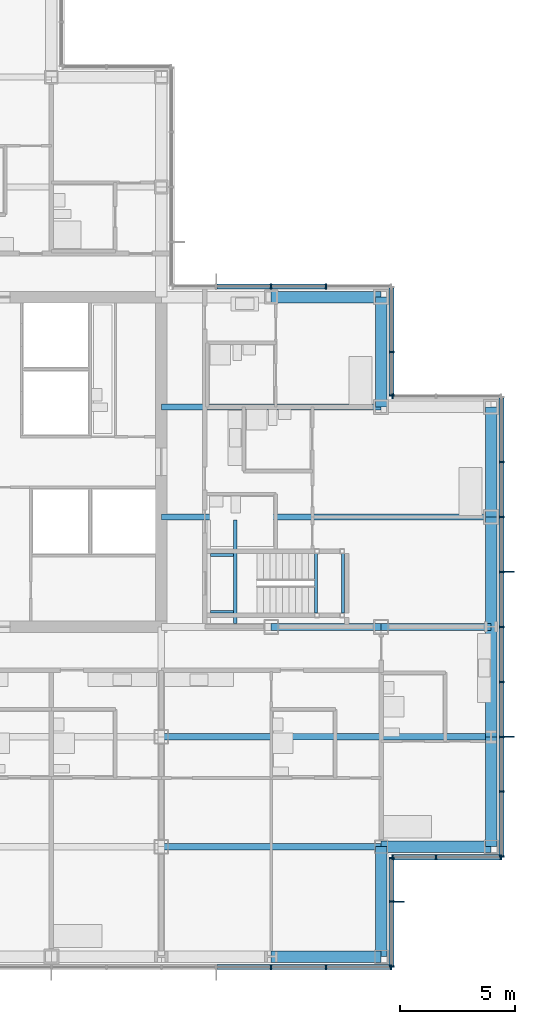
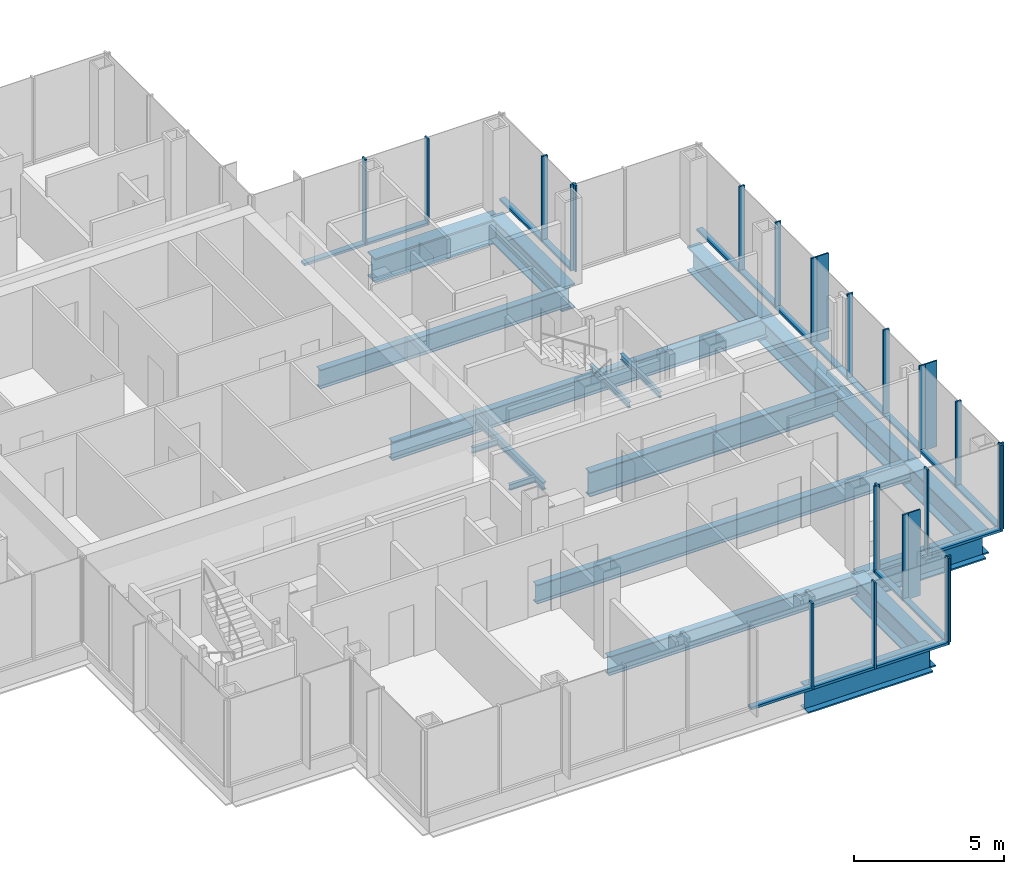
# One storey, part 8 of 19: 44 members, 20 beams, 7 elements without a shape of their own.
"""IFC4 building model written with IfcOpenShell, lengths in metres."""

from ifc_helpers import new_model, si_unit, direction, frame, origin, origin_2d, place, context, subcontext, project, spatial, rectangle, i_section, extrude, material, material_profile, profile_set, type_object, element, aggregate, save


model = new_model("IFC4")

# Units and contexts
model_context = context("Model", 3, precision=1e-05, world=origin(), true_north=direction((0.0, 1.0)))
body_context = subcontext(model_context, "Body", "Model", "MODEL_VIEW")
ifc_project = project(units=[si_unit("LENGTHUNIT", "METRE"), si_unit("AREAUNIT", "SQUARE_METRE"), si_unit("VOLUMEUNIT", "CUBIC_METRE"), si_unit("PLANEANGLEUNIT", "RADIAN"), si_unit("MASSUNIT", "GRAM", prefix="KILO")], contexts=[model_context])

# Site, building, storey
site_placement = place(None, origin())
site = spatial("IfcSite", under=ifc_project, at=site_placement, CompositionType="ELEMENT")
building_placement = place(site_placement, origin())
building = spatial("IfcBuilding", under=site, at=building_placement, Name="Kvirike Care Tower", CompositionType="ELEMENT")
storey_placement = place(building_placement, frame((0.0, 0.0, 98.0)))
storey = spatial("IfcBuildingStorey", under=building, at=storey_placement, Name="L26", CompositionType="ELEMENT", Elevation=98.0)

# Curtain wall, members
ifc_material_1 = material(Name="Anodised aluminium stick system", Category="aluminium")
curtain_wall_type = type_object("IfcCurtainWallType", Name="CW-B STICK CURTAIN WALL", PredefinedType="NOTDEFINED", material=ifc_material_1)
curtain_wall_1_placement = place(storey_placement, origin())
curtain_wall_1 = element("IfcCurtainWall", 1, at=curtain_wall_1_placement, inside=storey, type_object=curtain_wall_type, Name="Curtain wall L26 face 1", PredefinedType="NOTDEFINED")
ifc_material_2 = material(Name="Bronze anodised aluminium fin", Category="aluminium")
ifc_material_profile_1 = material_profile(ifc_material_2, rectangle(XDim=0.050048828125, YDim=0.449951171875, at=origin_2d()), Name="BRONZE FIN 450")
ifc_profile_set_1 = profile_set([ifc_material_profile_1], Name="Bronze anodised aluminium fin")
member_type_1 = type_object("IfcMemberType", Name="BRONZE FIN 450", PredefinedType="USERDEFINED", material=ifc_profile_set_1)
member_1_placement = place(storey_placement, frame((43.9951171875, 24.0, 0.0), z_axis=(0.0, 0.0, 1.0), x_axis=(0.0, 1.0, 0.0)))
member_1 = element("IfcMember", 2, at=member_1_placement, type_object=member_type_1, Name="Bronze fin L26 face 1.3", ObjectType="FIN", PredefinedType="USERDEFINED", context=body_context, shape_type="SweptSolid", body=[
    extrude(rectangle(XDim=0.050048828125, YDim=0.449951171875, at=origin_2d()), origin(), (0.0, 0.0, 1.0), 3.5),
])
member_2_placement = place(storey_placement, frame((43.9951171875, 31.199951171875, 0.0), z_axis=(0.0, 0.0, 1.0), x_axis=(0.0, 1.0, 0.0)))
member_2 = element("IfcMember", 3, at=member_2_placement, type_object=member_type_1, Name="Bronze fin L26 face 1.6", ObjectType="FIN", PredefinedType="USERDEFINED", context=body_context, shape_type="SweptSolid", body=[
    extrude(rectangle(XDim=0.050048828125, YDim=0.449951171875, at=origin_2d()), origin(), (0.0, 0.0, 1.0), 3.5),
])

# Curtain wall, member
curtain_wall_2_placement = place(storey_placement, origin())
curtain_wall_2 = element("IfcCurtainWall", 4, at=curtain_wall_2_placement, inside=storey, type_object=curtain_wall_type, Name="Curtain wall L26 face 19", PredefinedType="NOTDEFINED")
member_3_placement = place(storey_placement, frame((39.195068359375, 16.800048828125, 0.0), z_axis=(0.0, 0.0, 1.0), x_axis=(0.0, 1.0, 0.0)))
member_3 = element("IfcMember", 5, at=member_3_placement, type_object=member_type_1, Name="Bronze fin L26 face 19.2", ObjectType="FIN", PredefinedType="USERDEFINED", context=body_context, shape_type="SweptSolid", body=[
    extrude(rectangle(XDim=0.050048828125, YDim=0.449951171875, at=origin_2d()), origin(), (0.0, 0.0, 1.0), 3.5),
])

# Member
ifc_material_3 = material(Name="Bronze anodised aluminium mullion", Category="aluminium")
ifc_material_profile_2 = material_profile(ifc_material_3, rectangle(XDim=0.06494140625, YDim=0.219970703125, at=origin_2d()), Name="CW-B MULLION 65x220")
ifc_profile_set_2 = profile_set([ifc_material_profile_2], Name="Bronze anodised aluminium mullion")
member_type_2 = type_object("IfcMemberType", Name="CW-B MULLION 65x220", PredefinedType="MULLION", material=ifc_profile_set_2)
member_4_placement = place(storey_placement, frame((43.659912109375, 18.7724609375, 0.0), z_axis=(0.0, 0.0, 1.0), x_axis=(0.0, 1.0, 0.0)))
member_4 = element("IfcMember", 6, at=member_4_placement, type_object=member_type_2, Name="CW-B mullion L26 face 1.1", PredefinedType="MULLION", context=body_context, shape_type="SweptSolid", body=[
    extrude(rectangle(XDim=0.06494140625, YDim=0.219970703125, at=origin_2d()), origin(), (0.0, 0.0, 1.0), 3.5),
])

member_5_placement = place(storey_placement, frame((43.659912109375, 21.60009765625, 0.0), z_axis=(0.0, 0.0, 1.0), x_axis=(0.0, 1.0, 0.0)))
member_5 = element("IfcMember", 7, at=member_5_placement, type_object=member_type_2, Name="CW-B mullion L26 face 1.2", PredefinedType="MULLION", context=body_context, shape_type="SweptSolid", body=[
    extrude(rectangle(XDim=0.06494140625, YDim=0.219970703125, at=origin_2d()), origin(), (0.0, 0.0, 1.0), 3.5),
])

member_6_placement = place(storey_placement, frame((43.659912109375, 24.0, 0.0), z_axis=(0.0, 0.0, 1.0), x_axis=(0.0, 1.0, 0.0)))
member_6 = element("IfcMember", 8, at=member_6_placement, type_object=member_type_2, Name="CW-B mullion L26 face 1.3", PredefinedType="MULLION", context=body_context, shape_type="SweptSolid", body=[
    extrude(rectangle(XDim=0.06494140625, YDim=0.219970703125, at=origin_2d()), origin(), (0.0, 0.0, 1.0), 3.5),
])

member_7_placement = place(storey_placement, frame((43.659912109375, 26.39990234375, 0.0), z_axis=(0.0, 0.0, 1.0), x_axis=(0.0, 1.0, 0.0)))
member_7 = element("IfcMember", 9, at=member_7_placement, type_object=member_type_2, Name="CW-B mullion L26 face 1.4", PredefinedType="MULLION", context=body_context, shape_type="SweptSolid", body=[
    extrude(rectangle(XDim=0.06494140625, YDim=0.219970703125, at=origin_2d()), origin(), (0.0, 0.0, 1.0), 3.5),
])

member_8_placement = place(storey_placement, frame((43.659912109375, 28.800048828125, 0.0), z_axis=(0.0, 0.0, 1.0), x_axis=(0.0, 1.0, 0.0)))
member_8 = element("IfcMember", 10, at=member_8_placement, type_object=member_type_2, Name="CW-B mullion L26 face 1.5", PredefinedType="MULLION", context=body_context, shape_type="SweptSolid", body=[
    extrude(rectangle(XDim=0.06494140625, YDim=0.219970703125, at=origin_2d()), origin(), (0.0, 0.0, 1.0), 3.5),
])

member_9_placement = place(storey_placement, frame((43.659912109375, 31.199951171875, 0.0), z_axis=(0.0, 0.0, 1.0), x_axis=(0.0, 1.0, 0.0)))
member_9 = element("IfcMember", 11, at=member_9_placement, type_object=member_type_2, Name="CW-B mullion L26 face 1.6", PredefinedType="MULLION", context=body_context, shape_type="SweptSolid", body=[
    extrude(rectangle(XDim=0.06494140625, YDim=0.219970703125, at=origin_2d()), origin(), (0.0, 0.0, 1.0), 3.5),
])

member_10_placement = place(storey_placement, frame((43.659912109375, 33.60009765625, 0.0), z_axis=(0.0, 0.0, 1.0), x_axis=(0.0, 1.0, 0.0)))
member_10 = element("IfcMember", 12, at=member_10_placement, type_object=member_type_2, Name="CW-B mullion L26 face 1.7", PredefinedType="MULLION", context=body_context, shape_type="SweptSolid", body=[
    extrude(rectangle(XDim=0.06494140625, YDim=0.219970703125, at=origin_2d()), origin(), (0.0, 0.0, 1.0), 3.5),
])

member_11_placement = place(storey_placement, frame((43.659912109375, 36.0, 0.0), z_axis=(0.0, 0.0, 1.0), x_axis=(0.0, 1.0, 0.0)))
member_11 = element("IfcMember", 13, at=member_11_placement, type_object=member_type_2, Name="CW-B mullion L26 face 1.8", PredefinedType="MULLION", context=body_context, shape_type="SweptSolid", body=[
    extrude(rectangle(XDim=0.06494140625, YDim=0.219970703125, at=origin_2d()), origin(), (0.0, 0.0, 1.0), 3.5),
])

# Curtain wall, member
curtain_wall_3_placement = place(storey_placement, origin())
curtain_wall_3 = element("IfcCurtainWall", 14, at=curtain_wall_3_placement, inside=storey, type_object=curtain_wall_type, Name="Curtain wall L26 face 2", PredefinedType="NOTDEFINED")
member_12_placement = place(storey_placement, frame((38.892578125, 38.860107421875, 0.0), z_axis=(0.0, 0.0, 1.0), x_axis=(-1.0, 0.0, 0.0)))
member_12 = element("IfcMember", 15, at=member_12_placement, type_object=member_type_2, Name="CW-B mullion L26 face 2.3", PredefinedType="MULLION", context=body_context, shape_type="SweptSolid", body=[
    extrude(rectangle(XDim=0.06494140625, YDim=0.219970703125, at=origin_2d()), origin(), (0.0, 0.0, 1.0), 3.5),
])
aggregate(curtain_wall_3, [member_12])

# Curtain wall, members
curtain_wall_4_placement = place(storey_placement, origin())
curtain_wall_4 = element("IfcCurtainWall", 16, at=curtain_wall_4_placement, inside=storey, type_object=curtain_wall_type, Name="Curtain wall L26 face 3", PredefinedType="NOTDEFINED")
member_13_placement = place(storey_placement, frame((38.860107421875, 38.892578125, 0.0), z_axis=(0.0, 0.0, 1.0), x_axis=(0.0, 1.0, 0.0)))
member_13 = element("IfcMember", 17, at=member_13_placement, type_object=member_type_2, Name="CW-B mullion L26 face 3.1", PredefinedType="MULLION", context=body_context, shape_type="SweptSolid", body=[
    extrude(rectangle(XDim=0.06494140625, YDim=0.219970703125, at=origin_2d()), origin(), (0.0, 0.0, 1.0), 3.5),
])
member_14_placement = place(storey_placement, frame((38.860107421875, 40.800048828125, 0.0), z_axis=(0.0, 0.0, 1.0), x_axis=(0.0, 1.0, 0.0)))
member_14 = element("IfcMember", 18, at=member_14_placement, type_object=member_type_2, Name="CW-B mullion L26 face 3.2", PredefinedType="MULLION", context=body_context, shape_type="SweptSolid", body=[
    extrude(rectangle(XDim=0.06494140625, YDim=0.219970703125, at=origin_2d()), origin(), (0.0, 0.0, 1.0), 3.5),
])

curtain_wall_5_placement = place(storey_placement, origin())
curtain_wall_5 = element("IfcCurtainWall", 19, at=curtain_wall_5_placement, inside=storey, type_object=curtain_wall_type, Name="Curtain wall L26 face 4", PredefinedType="NOTDEFINED")
member_15_placement = place(storey_placement, frame((36.0, 43.659912109375, 0.0), z_axis=(0.0, 0.0, 1.0), x_axis=(-1.0, 0.0, 0.0)))
member_15 = element("IfcMember", 20, at=member_15_placement, type_object=member_type_2, Name="CW-B mullion L26 face 4.2", PredefinedType="MULLION", context=body_context, shape_type="SweptSolid", body=[
    extrude(rectangle(XDim=0.06494140625, YDim=0.219970703125, at=origin_2d()), origin(), (0.0, 0.0, 1.0), 3.5),
])
member_16_placement = place(storey_placement, frame((33.60009765625, 43.659912109375, 0.0), z_axis=(0.0, 0.0, 1.0), x_axis=(-1.0, 0.0, 0.0)))
member_16 = element("IfcMember", 21, at=member_16_placement, type_object=member_type_2, Name="CW-B mullion L26 face 4.3", PredefinedType="MULLION", context=body_context, shape_type="SweptSolid", body=[
    extrude(rectangle(XDim=0.06494140625, YDim=0.219970703125, at=origin_2d()), origin(), (0.0, 0.0, 1.0), 3.5),
])

curtain_wall_6_placement = place(storey_placement, origin())
curtain_wall_6 = element("IfcCurtainWall", 22, at=curtain_wall_6_placement, inside=storey, type_object=curtain_wall_type, Name="Curtain wall L26 face 18", PredefinedType="NOTDEFINED")
member_17_placement = place(storey_placement, frame((33.60009765625, 13.93994140625, 0.0), z_axis=(0.0, 0.0, 1.0), x_axis=(1.0, 0.0, 0.0)))
member_17 = element("IfcMember", 23, at=member_17_placement, type_object=member_type_2, Name="CW-B mullion L26 face 18.7", PredefinedType="MULLION", context=body_context, shape_type="SweptSolid", body=[
    extrude(rectangle(XDim=0.06494140625, YDim=0.219970703125, at=origin_2d()), origin(), (0.0, 0.0, 1.0), 3.5),
])
member_18_placement = place(storey_placement, frame((36.0, 13.93994140625, 0.0), z_axis=(0.0, 0.0, 1.0), x_axis=(1.0, 0.0, 0.0)))
member_18 = element("IfcMember", 24, at=member_18_placement, type_object=member_type_2, Name="CW-B mullion L26 face 18.8", PredefinedType="MULLION", context=body_context, shape_type="SweptSolid", body=[
    extrude(rectangle(XDim=0.06494140625, YDim=0.219970703125, at=origin_2d()), origin(), (0.0, 0.0, 1.0), 3.5),
])
member_19_placement = place(storey_placement, frame((38.827392578125, 13.93994140625, 0.0), z_axis=(0.0, 0.0, 1.0), x_axis=(1.0, 0.0, 0.0)))
member_19 = element("IfcMember", 25, at=member_19_placement, type_object=member_type_2, Name="CW-B mullion L26 face 18.9", PredefinedType="MULLION", context=body_context, shape_type="SweptSolid", body=[
    extrude(rectangle(XDim=0.06494140625, YDim=0.219970703125, at=origin_2d()), origin(), (0.0, 0.0, 1.0), 3.5),
])

# Member
member_20_placement = place(storey_placement, frame((38.860107421875, 13.972412109375, 0.0), z_axis=(0.0, 0.0, 1.0), x_axis=(0.0, 1.0, 0.0)))
member_20 = element("IfcMember", 26, at=member_20_placement, type_object=member_type_2, Name="CW-B mullion L26 face 19.1", PredefinedType="MULLION", context=body_context, shape_type="SweptSolid", body=[
    extrude(rectangle(XDim=0.06494140625, YDim=0.219970703125, at=origin_2d()), origin(), (0.0, 0.0, 1.0), 3.5),
])

member_21_placement = place(storey_placement, frame((38.860107421875, 16.800048828125, 0.0), z_axis=(0.0, 0.0, 1.0), x_axis=(0.0, 1.0, 0.0)))
member_21 = element("IfcMember", 27, at=member_21_placement, type_object=member_type_2, Name="CW-B mullion L26 face 19.2", PredefinedType="MULLION", context=body_context, shape_type="SweptSolid", body=[
    extrude(rectangle(XDim=0.06494140625, YDim=0.219970703125, at=origin_2d()), origin(), (0.0, 0.0, 1.0), 3.5),
])

member_22_placement = place(storey_placement, frame((38.860107421875, 18.70751953125, 0.0), z_axis=(0.0, 0.0, 1.0), x_axis=(0.0, 1.0, 0.0)))
member_22 = element("IfcMember", 28, at=member_22_placement, type_object=member_type_2, Name="CW-B mullion L26 face 19.3", PredefinedType="MULLION", context=body_context, shape_type="SweptSolid", body=[
    extrude(rectangle(XDim=0.06494140625, YDim=0.219970703125, at=origin_2d()), origin(), (0.0, 0.0, 1.0), 3.5),
])

# Curtain wall, members
curtain_wall_7_placement = place(storey_placement, origin())
curtain_wall_7 = element("IfcCurtainWall", 29, at=curtain_wall_7_placement, inside=storey, type_object=curtain_wall_type, Name="Curtain wall L26 face 20", PredefinedType="NOTDEFINED")
member_23_placement = place(storey_placement, frame((38.892578125, 18.739990234375, 0.0), z_axis=(0.0, 0.0, 1.0), x_axis=(1.0, 0.0, 0.0)))
member_23 = element("IfcMember", 30, at=member_23_placement, type_object=member_type_2, Name="CW-B mullion L26 face 20.1", PredefinedType="MULLION", context=body_context, shape_type="SweptSolid", body=[
    extrude(rectangle(XDim=0.06494140625, YDim=0.219970703125, at=origin_2d()), origin(), (0.0, 0.0, 1.0), 3.5),
])
member_24_placement = place(storey_placement, frame((40.800048828125, 18.739990234375, 0.0), z_axis=(0.0, 0.0, 1.0), x_axis=(1.0, 0.0, 0.0)))
member_24 = element("IfcMember", 31, at=member_24_placement, type_object=member_type_2, Name="CW-B mullion L26 face 20.2", PredefinedType="MULLION", context=body_context, shape_type="SweptSolid", body=[
    extrude(rectangle(XDim=0.06494140625, YDim=0.219970703125, at=origin_2d()), origin(), (0.0, 0.0, 1.0), 3.5),
])
member_25_placement = place(storey_placement, frame((43.62744140625, 18.739990234375, 0.0), z_axis=(0.0, 0.0, 1.0), x_axis=(1.0, 0.0, 0.0)))
member_25 = element("IfcMember", 32, at=member_25_placement, type_object=member_type_2, Name="CW-B mullion L26 face 20.3", PredefinedType="MULLION", context=body_context, shape_type="SweptSolid", body=[
    extrude(rectangle(XDim=0.06494140625, YDim=0.219970703125, at=origin_2d()), origin(), (0.0, 0.0, 1.0), 3.5),
])

# Member
ifc_material_4 = material(Name="Bronze anodised aluminium transom", Category="aluminium")
ifc_material_profile_3 = material_profile(ifc_material_4, rectangle(XDim=0.219970703125, YDim=0.10009765625, at=origin_2d()), Name="CW-B TRANSOM 220x100")
ifc_profile_set_3 = profile_set([ifc_material_profile_3], Name="Bronze anodised aluminium transom")
member_type_3 = type_object("IfcMemberType", Name="CW-B TRANSOM 220x100", PredefinedType="USERDEFINED", material=ifc_profile_set_3)
member_26_placement = place(storey_placement, frame((43.659912109375, 18.804931640625, 0.050048828125), z_axis=(0.0, 1.0, 0.0), x_axis=(-1.0, 0.0, 0.0)))
member_26 = element("IfcMember", 33, at=member_26_placement, type_object=member_type_3, Name="CW-B sill transom L26 face 1.1", ObjectType="TRANSOM", PredefinedType="USERDEFINED", context=body_context, shape_type="SweptSolid", body=[
    extrude(rectangle(XDim=0.219970703125, YDim=0.10009765625, at=origin_2d()), origin(), (0.0, 0.0, 1.0), 2.762451171875),
])

member_27_placement = place(storey_placement, frame((43.659912109375, 21.632568359375, 0.050048828125), z_axis=(0.0, 1.0, 0.0), x_axis=(-1.0, 0.0, 0.0)))
member_27 = element("IfcMember", 34, at=member_27_placement, type_object=member_type_3, Name="CW-B sill transom L26 face 1.2", ObjectType="TRANSOM", PredefinedType="USERDEFINED", context=body_context, shape_type="SweptSolid", body=[
    extrude(rectangle(XDim=0.219970703125, YDim=0.10009765625, at=origin_2d()), origin(), (0.0, 0.0, 1.0), 2.3349609375),
])

member_28_placement = place(storey_placement, frame((43.659912109375, 24.032470703125, 0.050048828125), z_axis=(0.0, 1.0, 0.0), x_axis=(-1.0, 0.0, 0.0)))
member_28 = element("IfcMember", 35, at=member_28_placement, type_object=member_type_3, Name="CW-B sill transom L26 face 1.3", ObjectType="TRANSOM", PredefinedType="USERDEFINED", context=body_context, shape_type="SweptSolid", body=[
    extrude(rectangle(XDim=0.219970703125, YDim=0.10009765625, at=origin_2d()), origin(), (0.0, 0.0, 1.0), 2.3349609375),
])

member_29_placement = place(storey_placement, frame((43.659912109375, 26.4326171875, 0.050048828125), z_axis=(0.0, 1.0, 0.0), x_axis=(-1.0, 0.0, 0.0)))
member_29 = element("IfcMember", 36, at=member_29_placement, type_object=member_type_3, Name="CW-B sill transom L26 face 1.4", ObjectType="TRANSOM", PredefinedType="USERDEFINED", context=body_context, shape_type="SweptSolid", body=[
    extrude(rectangle(XDim=0.219970703125, YDim=0.10009765625, at=origin_2d()), origin(), (0.0, 0.0, 1.0), 2.3349609375),
])

member_30_placement = place(storey_placement, frame((43.659912109375, 28.83251953125, 0.050048828125), z_axis=(0.0, 1.0, 0.0), x_axis=(-1.0, 0.0, 0.0)))
member_30 = element("IfcMember", 37, at=member_30_placement, type_object=member_type_3, Name="CW-B sill transom L26 face 1.5", ObjectType="TRANSOM", PredefinedType="USERDEFINED", context=body_context, shape_type="SweptSolid", body=[
    extrude(rectangle(XDim=0.219970703125, YDim=0.10009765625, at=origin_2d()), origin(), (0.0, 0.0, 1.0), 2.3349609375),
])

member_31_placement = place(storey_placement, frame((43.659912109375, 31.232421875, 0.050048828125), z_axis=(0.0, 1.0, 0.0), x_axis=(-1.0, 0.0, 0.0)))
member_31 = element("IfcMember", 38, at=member_31_placement, type_object=member_type_3, Name="CW-B sill transom L26 face 1.6", ObjectType="TRANSOM", PredefinedType="USERDEFINED", context=body_context, shape_type="SweptSolid", body=[
    extrude(rectangle(XDim=0.219970703125, YDim=0.10009765625, at=origin_2d()), origin(), (0.0, 0.0, 1.0), 2.3349609375),
])

member_32_placement = place(storey_placement, frame((43.659912109375, 33.632568359375, 0.050048828125), z_axis=(0.0, 1.0, 0.0), x_axis=(-1.0, 0.0, 0.0)))
member_32 = element("IfcMember", 39, at=member_32_placement, type_object=member_type_3, Name="CW-B sill transom L26 face 1.7", ObjectType="TRANSOM", PredefinedType="USERDEFINED", context=body_context, shape_type="SweptSolid", body=[
    extrude(rectangle(XDim=0.219970703125, YDim=0.10009765625, at=origin_2d()), origin(), (0.0, 0.0, 1.0), 2.3349609375),
])

member_33_placement = place(storey_placement, frame((43.659912109375, 36.032470703125, 0.050048828125), z_axis=(0.0, 1.0, 0.0), x_axis=(-1.0, 0.0, 0.0)))
member_33 = element("IfcMember", 40, at=member_33_placement, type_object=member_type_3, Name="CW-B sill transom L26 face 1.8", ObjectType="TRANSOM", PredefinedType="USERDEFINED", context=body_context, shape_type="SweptSolid", body=[
    extrude(rectangle(XDim=0.219970703125, YDim=0.10009765625, at=origin_2d()), origin(), (0.0, 0.0, 1.0), 2.762451171875),
])

aggregate(curtain_wall_1, [member_4, member_5, member_6, member_1, member_7, member_8, member_9, member_2, member_10, member_11, member_26, member_27, member_28, member_29, member_30, member_31, member_32, member_33])

member_34_placement = place(storey_placement, frame((38.860107421875, 38.925048828125, 0.050048828125), z_axis=(0.0, 1.0, 0.0), x_axis=(-1.0, 0.0, 0.0)))
member_34 = element("IfcMember", 41, at=member_34_placement, type_object=member_type_3, Name="CW-B sill transom L26 face 3.1", ObjectType="TRANSOM", PredefinedType="USERDEFINED", context=body_context, shape_type="SweptSolid", body=[
    extrude(rectangle(XDim=0.219970703125, YDim=0.10009765625, at=origin_2d()), origin(), (0.0, 0.0, 1.0), 1.842529296875),
])

member_35_placement = place(storey_placement, frame((38.860107421875, 40.83251953125, 0.050048828125), z_axis=(0.0, 1.0, 0.0), x_axis=(-1.0, 0.0, 0.0)))
member_35 = element("IfcMember", 42, at=member_35_placement, type_object=member_type_3, Name="CW-B sill transom L26 face 3.2", ObjectType="TRANSOM", PredefinedType="USERDEFINED", context=body_context, shape_type="SweptSolid", body=[
    extrude(rectangle(XDim=0.219970703125, YDim=0.10009765625, at=origin_2d()), origin(), (0.0, 0.0, 1.0), 2.762451171875),
])

aggregate(curtain_wall_4, [member_13, member_14, member_34, member_35])

member_36_placement = place(storey_placement, frame((35.967529296875, 43.659912109375, 0.050048828125), z_axis=(-1.0, 0.0, 0.0), x_axis=(0.0, -1.0, 0.0)))
member_36 = element("IfcMember", 43, at=member_36_placement, type_object=member_type_3, Name="CW-B sill transom L26 face 4.2", ObjectType="TRANSOM", PredefinedType="USERDEFINED", context=body_context, shape_type="SweptSolid", body=[
    extrude(rectangle(XDim=0.219970703125, YDim=0.10009765625, at=origin_2d()), origin(), (0.0, 0.0, 1.0), 2.3349609375),
])

member_37_placement = place(storey_placement, frame((33.5673828125, 43.659912109375, 0.050048828125), z_axis=(-1.0, 0.0, 0.0), x_axis=(0.0, -1.0, 0.0)))
member_37 = element("IfcMember", 44, at=member_37_placement, type_object=member_type_3, Name="CW-B sill transom L26 face 4.3", ObjectType="TRANSOM", PredefinedType="USERDEFINED", context=body_context, shape_type="SweptSolid", body=[
    extrude(rectangle(XDim=0.219970703125, YDim=0.10009765625, at=origin_2d()), origin(), (0.0, 0.0, 1.0), 2.3349609375),
])

aggregate(curtain_wall_5, [member_15, member_16, member_36, member_37])

member_38_placement = place(storey_placement, frame((31.232421875, 13.93994140625, 0.050048828125), z_axis=(1.0, 0.0, 0.0), x_axis=(0.0, 1.0, 0.0)))
member_38 = element("IfcMember", 45, at=member_38_placement, type_object=member_type_3, Name="CW-B sill transom L26 face 18.6", ObjectType="TRANSOM", PredefinedType="USERDEFINED", context=body_context, shape_type="SweptSolid", body=[
    extrude(rectangle(XDim=0.219970703125, YDim=0.10009765625, at=origin_2d()), origin(), (0.0, 0.0, 1.0), 2.3349609375),
])

member_39_placement = place(storey_placement, frame((33.632568359375, 13.93994140625, 0.050048828125), z_axis=(1.0, 0.0, 0.0), x_axis=(0.0, 1.0, 0.0)))
member_39 = element("IfcMember", 46, at=member_39_placement, type_object=member_type_3, Name="CW-B sill transom L26 face 18.7", ObjectType="TRANSOM", PredefinedType="USERDEFINED", context=body_context, shape_type="SweptSolid", body=[
    extrude(rectangle(XDim=0.219970703125, YDim=0.10009765625, at=origin_2d()), origin(), (0.0, 0.0, 1.0), 2.3349609375),
])

member_40_placement = place(storey_placement, frame((36.032470703125, 13.93994140625, 0.050048828125), z_axis=(1.0, 0.0, 0.0), x_axis=(0.0, 1.0, 0.0)))
member_40 = element("IfcMember", 47, at=member_40_placement, type_object=member_type_3, Name="CW-B sill transom L26 face 18.8", ObjectType="TRANSOM", PredefinedType="USERDEFINED", context=body_context, shape_type="SweptSolid", body=[
    extrude(rectangle(XDim=0.219970703125, YDim=0.10009765625, at=origin_2d()), origin(), (0.0, 0.0, 1.0), 2.762451171875),
])

aggregate(curtain_wall_6, [member_17, member_18, member_19, member_38, member_39, member_40])

member_41_placement = place(storey_placement, frame((38.860107421875, 14.0048828125, 0.050048828125), z_axis=(0.0, 1.0, 0.0), x_axis=(-1.0, 0.0, 0.0)))
member_41 = element("IfcMember", 48, at=member_41_placement, type_object=member_type_3, Name="CW-B sill transom L26 face 19.1", ObjectType="TRANSOM", PredefinedType="USERDEFINED", context=body_context, shape_type="SweptSolid", body=[
    extrude(rectangle(XDim=0.219970703125, YDim=0.10009765625, at=origin_2d()), origin(), (0.0, 0.0, 1.0), 2.7626953125),
])

member_42_placement = place(storey_placement, frame((38.860107421875, 16.83251953125, 0.050048828125), z_axis=(0.0, 1.0, 0.0), x_axis=(-1.0, 0.0, 0.0)))
member_42 = element("IfcMember", 49, at=member_42_placement, type_object=member_type_3, Name="CW-B sill transom L26 face 19.2", ObjectType="TRANSOM", PredefinedType="USERDEFINED", context=body_context, shape_type="SweptSolid", body=[
    extrude(rectangle(XDim=0.219970703125, YDim=0.10009765625, at=origin_2d()), origin(), (0.0, 0.0, 1.0), 1.842529296875),
])

aggregate(curtain_wall_2, [member_20, member_21, member_3, member_22, member_41, member_42])

member_43_placement = place(storey_placement, frame((38.925048828125, 18.739990234375, 0.050048828125), z_axis=(1.0, 0.0, 0.0), x_axis=(0.0, 1.0, 0.0)))
member_43 = element("IfcMember", 50, at=member_43_placement, type_object=member_type_3, Name="CW-B sill transom L26 face 20.1", ObjectType="TRANSOM", PredefinedType="USERDEFINED", context=body_context, shape_type="SweptSolid", body=[
    extrude(rectangle(XDim=0.219970703125, YDim=0.10009765625, at=origin_2d()), origin(), (0.0, 0.0, 1.0), 1.842529296875),
])

member_44_placement = place(storey_placement, frame((40.83251953125, 18.739990234375, 0.050048828125), z_axis=(1.0, 0.0, 0.0), x_axis=(0.0, 1.0, 0.0)))
member_44 = element("IfcMember", 51, at=member_44_placement, type_object=member_type_3, Name="CW-B sill transom L26 face 20.2", ObjectType="TRANSOM", PredefinedType="USERDEFINED", context=body_context, shape_type="SweptSolid", body=[
    extrude(rectangle(XDim=0.219970703125, YDim=0.10009765625, at=origin_2d()), origin(), (0.0, 0.0, 1.0), 2.762451171875),
])

aggregate(curtain_wall_7, [member_23, member_24, member_25, member_43, member_44])

# Beams
ifc_material_5 = material(Name="Steel S355", Category="steel")
ifc_material_profile_4 = material_profile(ifc_material_5, i_section(OverallWidth=0.26806640625, OverallDepth=0.77001953125, WebThickness=0.015625, FlangeThickness=0.025390625, FilletRadius=0.01708984375, at=origin_2d()), Name="IPE 750x196")
ifc_profile_set_4 = profile_set([ifc_material_profile_4], Name="Steel S355")
beam_type_1 = type_object("IfcBeamType", Name="FLOOR BEAM IPE 750x196", PredefinedType="BEAM", material=ifc_profile_set_4)
beam_1_placement = place(storey_placement, frame((28.800048828125, 19.199951171875, -0.554931640625), z_axis=(1.0, 0.0, 0.0), x_axis=(0.0, 1.0, 0.0)))
element("IfcBeam", 52, at=beam_1_placement, inside=storey, type_object=beam_type_1, Name="Floor Beam E9-E11 L26", PredefinedType="BEAM", context=body_context, shape_type="SweptSolid", body=[
    extrude(i_section(OverallWidth=0.26806640625, OverallDepth=0.77001953125, WebThickness=0.015625, FlangeThickness=0.025390625, FilletRadius=0.01708984375, at=origin_2d()), origin(), (0.0, 0.0, 1.0), 9.599853515625),
])
for number, where, z_axis, x_axis, name in (
    (53, (28.800048828125, 24.0, -0.554931640625), (1.0, 0.0, 0.0), (0.0, 1.0, 0.0), "Floor Beam F9-F12 L26"),
    (54, (28.800048828125, 33.60009765625, -0.554931640625), (1.0, 0.0, 0.0), (0.0, 1.0, 0.0), "Floor Beam H9-H12 L26"),
):
    element("IfcBeam", number, at=place(storey_placement, frame(where, z_axis=z_axis, x_axis=x_axis)), inside=storey, type_object=beam_type_1, Name=name, PredefinedType="BEAM", context=body_context, shape_type="SweptSolid", body=[
        extrude(i_section(OverallWidth=0.26806640625, OverallDepth=0.77001953125, WebThickness=0.015625, FlangeThickness=0.025390625, FilletRadius=0.01708984375, at=origin_2d()), origin(), (0.0, 0.0, 1.0), 14.39990234375),
    ])
beam_2_placement = place(storey_placement, frame((28.800048828125, 38.39990234375, -0.554931640625), z_axis=(1.0, 0.0, 0.0), x_axis=(0.0, 1.0, 0.0)))
element("IfcBeam", 55, at=beam_2_placement, inside=storey, type_object=beam_type_1, Name="Floor Beam J9-J11 L26", PredefinedType="BEAM", context=body_context, shape_type="SweptSolid", body=[
    extrude(i_section(OverallWidth=0.26806640625, OverallDepth=0.77001953125, WebThickness=0.015625, FlangeThickness=0.025390625, FilletRadius=0.01708984375, at=origin_2d()), origin(), (0.0, 0.0, 1.0), 9.599853515625),
])
ifc_material_6 = material(Name="Steel S355", Category="steel")
ifc_material_profile_5 = material_profile(ifc_material_6, i_section(OverallWidth=0.300048828125, OverallDepth=1.0, WebThickness=0.01904296875, FlangeThickness=0.035888671875, FilletRadius=0.030029296875, at=origin_2d()), Name="HE 1000 B")
ifc_profile_set_5 = profile_set([ifc_material_profile_5], Name="Steel S355")
beam_type_2 = type_object("IfcBeamType", Name="FRAME BEAM HE 1000 B", PredefinedType="BEAM", material=ifc_profile_set_5)
beam_3_placement = place(storey_placement, frame((33.60009765625, 28.800048828125, -0.669921875), z_axis=(1.0, 0.0, 0.0), x_axis=(0.0, 1.0, 0.0)))
element("IfcBeam", 56, at=beam_3_placement, inside=storey, type_object=beam_type_2, Name="Frame Beam G10-G11 L26", PredefinedType="BEAM", context=body_context, shape_type="SweptSolid", body=[
    extrude(i_section(OverallWidth=0.300048828125, OverallDepth=1.0, WebThickness=0.01904296875, FlangeThickness=0.035888671875, FilletRadius=0.030029296875, at=origin_2d()), origin(), (0.0, 0.0, 1.0), 4.7998046875),
])
beam_4_placement = place(storey_placement, frame((38.39990234375, 28.800048828125, -0.669921875), z_axis=(1.0, 0.0, 0.0), x_axis=(0.0, 1.0, 0.0)))
element("IfcBeam", 57, at=beam_4_placement, inside=storey, type_object=beam_type_2, Name="Frame Beam G11-G12 L26", PredefinedType="BEAM", context=body_context, shape_type="SweptSolid", body=[
    extrude(i_section(OverallWidth=0.300048828125, OverallDepth=1.0, WebThickness=0.01904296875, FlangeThickness=0.035888671875, FilletRadius=0.030029296875, at=origin_2d()), origin(), (0.0, 0.0, 1.0), 4.800048828125),
])
ifc_material_7 = material(Name="Steel S355", Category="steel")
ifc_material_profile_6 = material_profile(ifc_material_7, i_section(OverallWidth=0.5, OverallDepth=1.0, WebThickness=0.030029296875, FlangeThickness=0.06005859375, at=origin_2d()), Name="PG 1000x500x30x60")
ifc_profile_set_6 = profile_set([ifc_material_profile_6], Name="Steel S355")
beam_type_3 = type_object("IfcBeamType", Name="SPANDREL PG 1000x500x30x60", PredefinedType="SPANDREL", material=ifc_profile_set_6)
beam_5_placement = place(storey_placement, frame((33.60009765625, 14.39990234375, -0.669921875), z_axis=(1.0, 0.0, 0.0), x_axis=(0.0, 1.0, 0.0)))
element("IfcBeam", 58, at=beam_5_placement, inside=storey, type_object=beam_type_3, Name="Spandrel D10-D11 L26", PredefinedType="SPANDREL", context=body_context, shape_type="SweptSolid", body=[
    extrude(i_section(OverallWidth=0.5, OverallDepth=1.0, WebThickness=0.030029296875, FlangeThickness=0.06005859375, at=origin_2d()), origin(), (0.0, 0.0, 1.0), 4.7998046875),
])
beam_6_placement = place(storey_placement, frame((38.39990234375, 19.199951171875, -0.669921875), z_axis=(1.0, 0.0, 0.0), x_axis=(0.0, 1.0, 0.0)))
element("IfcBeam", 59, at=beam_6_placement, inside=storey, type_object=beam_type_3, Name="Spandrel E11-E12 L26", PredefinedType="SPANDREL", context=body_context, shape_type="SweptSolid", body=[
    extrude(i_section(OverallWidth=0.5, OverallDepth=1.0, WebThickness=0.030029296875, FlangeThickness=0.06005859375, at=origin_2d()), origin(), (0.0, 0.0, 1.0), 4.800048828125),
])
beam_7_placement = place(storey_placement, frame((33.60009765625, 43.199951171875, -0.669921875), z_axis=(1.0, 0.0, 0.0), x_axis=(0.0, 1.0, 0.0)))
element("IfcBeam", 60, at=beam_7_placement, inside=storey, type_object=beam_type_3, Name="Spandrel K10-K11 L26", PredefinedType="SPANDREL", context=body_context, shape_type="SweptSolid", body=[
    extrude(i_section(OverallWidth=0.5, OverallDepth=1.0, WebThickness=0.030029296875, FlangeThickness=0.06005859375, at=origin_2d()), origin(), (0.0, 0.0, 1.0), 4.7998046875),
])
for number, where, z_axis, x_axis, name in (
    (61, (38.39990234375, 14.39990234375, -0.669921875), (0.0, 1.0, 0.0), (-1.0, 0.0, 0.0), "Spandrel D11-E11 L26"),
    (62, (38.39990234375, 38.39990234375, -0.669921875), (0.0, 1.0, 0.0), (-1.0, 0.0, 0.0), "Spandrel J11-K11 L26"),
    (63, (43.199951171875, 19.199951171875, -0.669921875), (0.0, 1.0, 0.0), (-1.0, 0.0, 0.0), "Spandrel E12-F12 L26"),
    (64, (43.199951171875, 24.0, -0.669921875), (0.0, 1.0, 0.0), (-1.0, 0.0, 0.0), "Spandrel F12-G12 L26"),
    (65, (43.199951171875, 28.800048828125, -0.669921875), (0.0, 1.0, 0.0), (-1.0, 0.0, 0.0), "Spandrel G12-H12 L26"),
):
    element("IfcBeam", number, at=place(storey_placement, frame(where, z_axis=z_axis, x_axis=x_axis)), inside=storey, type_object=beam_type_3, Name=name, PredefinedType="SPANDREL", context=body_context, shape_type="SweptSolid", body=[
        extrude(i_section(OverallWidth=0.5, OverallDepth=1.0, WebThickness=0.030029296875, FlangeThickness=0.06005859375, at=origin_2d()), origin(), (0.0, 0.0, 1.0), 4.800048828125),
    ])
beam_8_placement = place(storey_placement, frame((43.199951171875, 33.60009765625, -0.669921875), z_axis=(0.0, 1.0, 0.0), x_axis=(-1.0, 0.0, 0.0)))
element("IfcBeam", 66, at=beam_8_placement, inside=storey, type_object=beam_type_3, Name="Spandrel H12-J12 L26", PredefinedType="SPANDREL", context=body_context, shape_type="SweptSolid", body=[
    extrude(i_section(OverallWidth=0.5, OverallDepth=1.0, WebThickness=0.030029296875, FlangeThickness=0.06005859375, at=origin_2d()), origin(), (0.0, 0.0, 1.0), 4.7998046875),
])
ifc_material_8 = material(Name="Steel S355", Category="steel")
ifc_material_profile_7 = material_profile(ifc_material_8, i_section(OverallWidth=0.1201171875, OverallDepth=0.239990234375, WebThickness=0.006103515625, FlangeThickness=0.009765625, FilletRadius=0.014892578125, at=origin_2d()), Name="IPE 240")
ifc_profile_set_7 = profile_set([ifc_material_profile_7], Name="Steel S355")
beam_type_4 = type_object("IfcBeamType", Name="STAIR LANDING BEAM IPE 240", PredefinedType="BEAM", material=ifc_profile_set_7)
for number, where, z_axis, x_axis, name in (
    (67, (36.739990234375, 29.39990234375, 1.429931640625), (0.0, 1.0, 0.0), (-1.0, 0.0, 0.0), "Stair 2 landing beam back L26"),
    (68, (35.56005859375, 29.39990234375, 1.429931640625), (0.0, 1.0, 0.0), (-1.0, 0.0, 0.0), "Stair 2 landing beam front L26"),
):
    element("IfcBeam", number, at=place(storey_placement, frame(where, z_axis=z_axis, x_axis=x_axis)), inside=storey, type_object=beam_type_4, Name=name, PredefinedType="BEAM", context=body_context, shape_type="SweptSolid", body=[
        extrude(i_section(OverallWidth=0.1201171875, OverallDepth=0.239990234375, WebThickness=0.006103515625, FlangeThickness=0.009765625, FilletRadius=0.014892578125, at=origin_2d()), origin(), (0.0, 0.0, 1.0), 2.60009765625),
    ])
for number, where, z_axis, x_axis, name in (
    (69, (31.949951171875, 29.4599609375, -0.320068359375), (-1.0, 0.0, 0.0), (0.0, -1.0, 0.0), "Stair 2 landing edge beam 1 L26"),
    (70, (31.949951171875, 31.93994140625, -0.320068359375), (-1.0, 0.0, 0.0), (0.0, -1.0, 0.0), "Stair 2 landing edge beam 2 L26"),
):
    element("IfcBeam", number, at=place(storey_placement, frame(where, z_axis=z_axis, x_axis=x_axis)), inside=storey, type_object=beam_type_4, Name=name, PredefinedType="BEAM", context=body_context, shape_type="SweptSolid", body=[
        extrude(i_section(OverallWidth=0.1201171875, OverallDepth=0.239990234375, WebThickness=0.006103515625, FlangeThickness=0.009765625, FilletRadius=0.014892578125, at=origin_2d()), origin(), (0.0, 0.0, 1.0), 1.0),
    ])
ifc_material_9 = material(Name="Steel S355", Category="steel")
ifc_material_profile_8 = material_profile(ifc_material_9, i_section(OverallWidth=0.14990234375, OverallDepth=0.300048828125, WebThickness=0.007080078125, FlangeThickness=0.0107421875, FilletRadius=0.014892578125, at=origin_2d()), Name="IPE 300")
ifc_profile_set_8 = profile_set([ifc_material_profile_8], Name="Steel S355")
beam_type_5 = type_object("IfcBeamType", Name="STAIR TRIMMER IPE 300", PredefinedType="BEAM", material=ifc_profile_set_8)
beam_9_placement = place(storey_placement, frame((32.02490234375, 28.949951171875, -0.35009765625), z_axis=(0.0, 1.0, 0.0), x_axis=(-1.0, 0.0, 0.0)))
element("IfcBeam", 71, at=beam_9_placement, inside=storey, type_object=beam_type_5, Name="Stair 2 trimmer 1 L26", PredefinedType="BEAM", context=body_context, shape_type="SweptSolid", body=[
    extrude(i_section(OverallWidth=0.14990234375, OverallDepth=0.300048828125, WebThickness=0.007080078125, FlangeThickness=0.0107421875, FilletRadius=0.014892578125, at=origin_2d()), origin(), (0.0, 0.0, 1.0), 4.51611328125),
])

save(model, "model.ifc")
